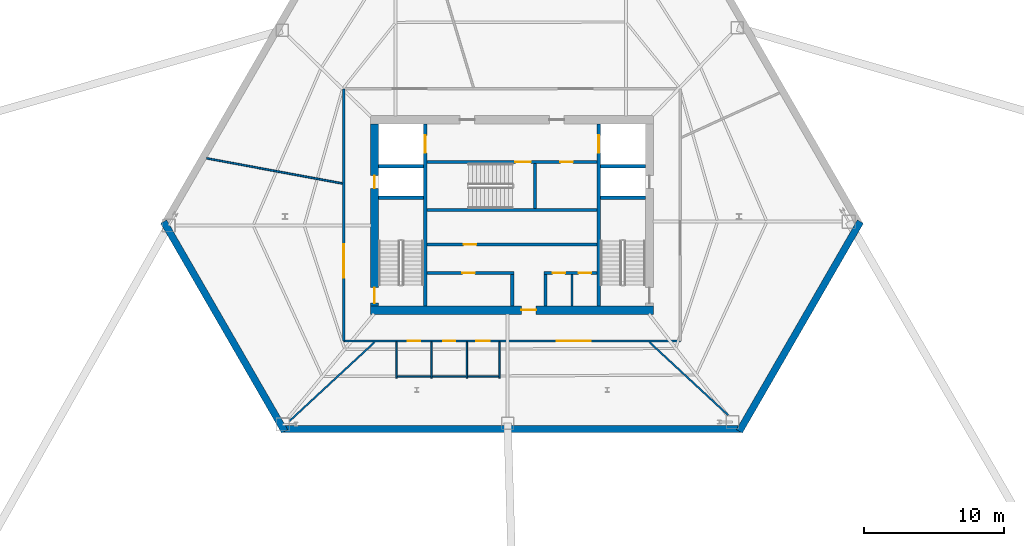
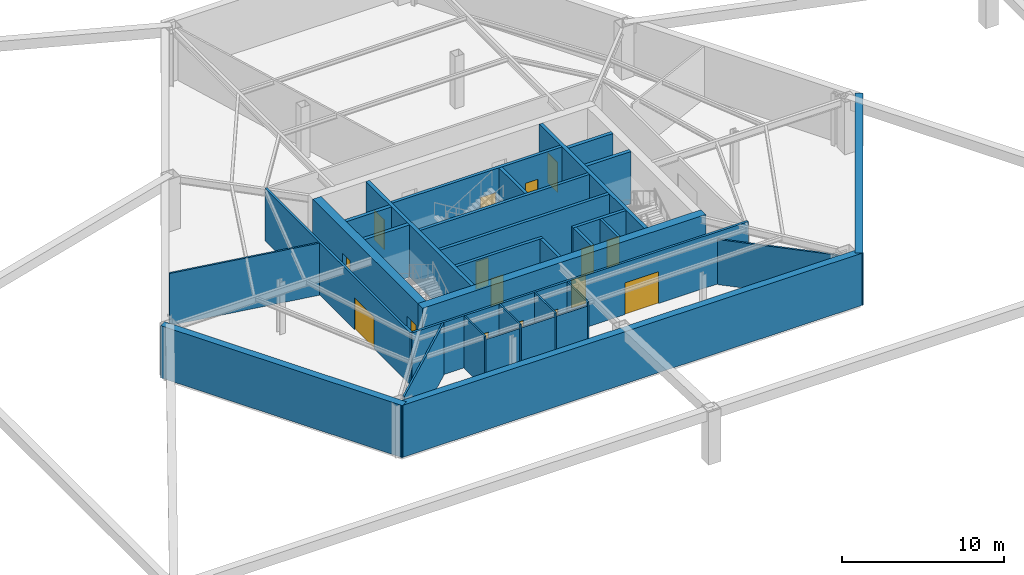
# One storey, part 6 of 8: 30 walls, 16 doors, 16 openings.
"""IFC4 building model written with IfcOpenShell, lengths in metres."""

from ifc_helpers import new_model, si_unit, direction, frame, frame_2d, origin, place, context, subcontext, project, spatial, rectangle, extrude, material, layer, layer_set, type_object, element, fill, save


model = new_model("IFC4")

# Units and contexts
model_context = context("Model", 3, precision=1e-05, world=origin(), true_north=direction((0.0, 1.0)))
body_context = subcontext(model_context, "Body", "Model", "MODEL_VIEW")
ifc_project = project(units=[si_unit("LENGTHUNIT", "METRE"), si_unit("AREAUNIT", "SQUARE_METRE"), si_unit("VOLUMEUNIT", "CUBIC_METRE"), si_unit("PLANEANGLEUNIT", "RADIAN"), si_unit("MASSUNIT", "GRAM", prefix="KILO")], contexts=[model_context])

# Site, building, storey
site_placement = place(None, origin())
site = spatial("IfcSite", under=ifc_project, at=site_placement, CompositionType="ELEMENT")
building_placement = place(site_placement, origin())
building = spatial("IfcBuilding", under=site, at=building_placement, Name="Kavelnor Concourse Tower", CompositionType="ELEMENT")
storey_placement = place(building_placement, frame((0.0, 0.0, -4.199951171875)))
storey = spatial("IfcBuildingStorey", under=building, at=storey_placement, Name="B01", CompositionType="ELEMENT", Elevation=-4.199951171875)

# Walls
ifc_material_1 = material(Name="Concrete C50/60", Category="concrete")
ifc_layer_1 = layer(ifc_material_1, 0.5, Name="Concrete C50/60")
ifc_layer_set_1 = layer_set([ifc_layer_1], Name="Concrete C50/60")
wall_type_1 = type_object("IfcWallType", Name="WL-BSMT-RET-500", PredefinedType="SHEAR", material=ifc_layer_set_1)
wall_1_placement = place(storey_placement, frame((13.122314453125, 15.618408203125, 0.0), z_axis=(0.0, 0.0, 1.0), x_axis=(0.499998305863, -0.866026381893, 0.0)))
element("IfcWall", 1, at=wall_1_placement, inside=storey, type_object=wall_type_1, Name="B01 Perimeter Retaining Wall 3 (500 mm)", PredefinedType="SHEAR", context=body_context, shape_type="SweptSolid", body=[
    extrude(rectangle(XDim=17.28857421875, YDim=0.5, at=frame_2d((8.644287109375, 0.0))), origin(), (0.0, 0.0, 1.0), 3.93994140625),
])
wall_2_placement = place(storey_placement, frame((21.5, 0.800048828125, 0.0), z_axis=(0.0, 0.0, 1.0), x_axis=(1.0, 0.0, 0.0)))
element("IfcWall", 2, at=wall_2_placement, inside=storey, type_object=wall_type_1, Name="B01 Perimeter Retaining Wall 4 (500 mm)", PredefinedType="SHEAR", context=body_context, shape_type="SweptSolid", body=[
    extrude(rectangle(XDim=33.0, YDim=0.5, at=frame_2d((16.5, 0.0))), origin(), (0.0, 0.0, 1.0), 3.93994140625),
])
wall_3_placement = place(storey_placement, frame((54.2333984375, 0.64599609375, 0.0), z_axis=(0.0, 0.0, 1.0), x_axis=(0.499998305863, 0.866026381893, 0.0)))
element("IfcWall", 3, at=wall_3_placement, inside=storey, type_object=wall_type_1, Name="B01 Perimeter Retaining Wall 5 (500 mm)", PredefinedType="SHEAR", context=body_context, shape_type="SweptSolid", body=[
    extrude(rectangle(XDim=17.28857421875, YDim=0.5, at=frame_2d((8.644287109375, 0.0))), origin(), (0.0, 0.0, 1.0), 3.93994140625),
])

# Wall, opening, door
ifc_material_2 = material(Name="Concrete C60/75", Category="concrete")
ifc_layer_2 = layer(ifc_material_2, 0.60009765625, Name="Concrete C60/75")
ifc_layer_set_2 = layer_set([ifc_layer_2], Name="Concrete C60/75")
wall_type_2 = type_object("IfcWallType", Name="WL-CORE-Z1-600", PredefinedType="SOLIDWALL", material=ifc_layer_set_2)
wall_4_placement = place(storey_placement, frame((27.8798828125, 9.300048828125, 0.0), z_axis=(0.0, 0.0, 1.0), x_axis=(1.0, 0.0, 0.0)))
wall_4 = element("IfcWall", 4, at=wall_4_placement, inside=storey, type_object=wall_type_2, Name="B01 Central Core South Shear Wall", PredefinedType="SOLIDWALL", context=body_context, shape_type="SweptSolid", body=[
    extrude(rectangle(XDim=20.240234375, YDim=0.60009765625, at=frame_2d((10.1201171875, 0.0))), origin(), (0.0, 0.0, 1.0), 3.93994140625),
])
opening_1_placement = place(wall_4_placement, frame((10.794921875, 0.0, 0.0)))
opening_1 = element("IfcOpeningElement", 5, at=opening_1_placement, cuts=wall_4, Name="Opening FD-105", PredefinedType="OPENING", context=body_context, shape_type="SweptSolid", body=[
    extrude(rectangle(XDim=1.050048828125, YDim=2.14990234375, at=frame_2d((0.52490234375, 1.074951171875))), frame((0.0, 0.31005859375, 0.0), z_axis=(0.0, -1.0, 0.0), x_axis=(1.0, 0.0, 0.0)), (0.0, 0.0, 1.0), 0.6201171875),
])
ifc_material_3 = material(Name="Steel Grade 350", Category="steel")
door_type_1 = type_object("IfcDoorType", Name="DR-LOBBY-FIRE-1050", OperationType="NOTDEFINED", PredefinedType="DOOR", material=ifc_material_3)
door_1_placement = place(opening_1_placement, origin())
door_1 = element("IfcDoor", 6, at=door_1_placement, inside=storey, type_object=door_type_1, Name="B01 Passenger Lift Lobby Entry Door", OperationType="DOUBLE_DOOR_SINGLE_SWING", OverallHeight=2.14990234375, OverallWidth=1.050048828125, PredefinedType="DOOR", context=body_context, shape_type="SweptSolid", body=[
    extrude(rectangle(XDim=1.050048828125, YDim=2.14990234375, at=frame_2d((0.52490234375, 1.074951171875))), frame((0.0, 0.02490234375, 0.0), z_axis=(0.0, -1.0, 0.0), x_axis=(1.0, 0.0, 0.0)), (0.0, 0.0, 1.0), 0.050048828125),
])
fill(opening_1, door_1)

# Wall, openings, doors
wall_5_placement = place(storey_placement, frame((28.179931640625, 9.60009765625, 0.0), z_axis=(0.0, 0.0, 1.0), x_axis=(0.0, 1.0, 0.0)))
wall_5 = element("IfcWall", 7, at=wall_5_placement, inside=storey, type_object=wall_type_2, Name="B01 Central Core West Shear Wall", PredefinedType="SOLIDWALL", context=body_context, shape_type="SweptSolid", body=[
    extrude(rectangle(XDim=13.0, YDim=0.60009765625, at=frame_2d((6.5, 0.0))), origin(), (0.0, 0.0, 1.0), 3.93994140625),
])
opening_2_placement = place(wall_5_placement, frame((0.199951171875, 0.0, 0.0)))
opening_2 = element("IfcOpeningElement", 8, at=opening_2_placement, cuts=wall_5, Name="Opening FD-110", PredefinedType="OPENING", context=body_context, shape_type="SweptSolid", body=[
    extrude(rectangle(XDim=1.10009765625, YDim=2.14990234375, at=frame_2d((0.550048828125, 1.074951171875))), frame((0.0, 0.31005859375, 0.0), z_axis=(0.0, -1.0, 0.0), x_axis=(1.0, 0.0, 0.0)), (0.0, 0.0, 1.0), 0.6201171875),
])
opening_3_placement = place(wall_5_placement, frame((8.39990234375, 0.0, 0.0)))
opening_3 = element("IfcOpeningElement", 9, at=opening_3_placement, cuts=wall_5, Name="Opening FD-090", PredefinedType="OPENING", context=body_context, shape_type="SweptSolid", body=[
    extrude(rectangle(XDim=0.89990234375, YDim=2.10009765625, at=frame_2d((0.449951171875, 1.050048828125))), frame((0.0, 0.31005859375, 0.0), z_axis=(0.0, -1.0, 0.0), x_axis=(1.0, 0.0, 0.0)), (0.0, 0.0, 1.0), 0.6201171875),
])
door_type_2 = type_object("IfcDoorType", Name="DR-RISER-FIRE-900", OperationType="NOTDEFINED", PredefinedType="DOOR", material=ifc_material_3)
door_2_placement = place(opening_3_placement, origin())
door_2 = element("IfcDoor", 10, at=door_2_placement, inside=storey, type_object=door_type_2, Name="B01 West Riser Access Door", OperationType="SINGLE_SWING_RIGHT", OverallHeight=2.10009765625, OverallWidth=0.89990234375, PredefinedType="DOOR", context=body_context, shape_type="SweptSolid", body=[
    extrude(rectangle(XDim=0.89990234375, YDim=2.10009765625, at=frame_2d((0.449951171875, 1.050048828125))), frame((0.0, 0.02490234375, 0.0), z_axis=(0.0, -1.0, 0.0), x_axis=(1.0, 0.0, 0.0)), (0.0, 0.0, 1.0), 0.050048828125),
])
fill(opening_3, door_2)
door_type_3 = type_object("IfcDoorType", Name="DR-STAIR-FIRE-1100", OperationType="NOTDEFINED", PredefinedType="DOOR", material=ifc_material_3)
door_3_placement = place(opening_2_placement, origin())
door_3 = element("IfcDoor", 11, at=door_3_placement, inside=storey, type_object=door_type_3, Name="B01 Stair ST1 Fire Door", OperationType="SINGLE_SWING_LEFT", OverallHeight=2.14990234375, OverallWidth=1.10009765625, PredefinedType="DOOR", context=body_context, shape_type="SweptSolid", body=[
    extrude(rectangle(XDim=1.10009765625, YDim=2.14990234375, at=frame_2d((0.550048828125, 1.074951171875))), frame((0.0, 0.02490234375, 0.0), z_axis=(0.0, -1.0, 0.0), x_axis=(1.0, 0.0, 0.0)), (0.0, 0.0, 1.0), 0.050048828125),
])
fill(opening_2, door_3)

# Wall
ifc_material_4 = material(Name="Gypsum plasterboard on light-gauge steel studs", Category="steel")
ifc_layer_3 = layer(ifc_material_4, 0.1650390625, Name="Gypsum plasterboard on light-gauge steel studs")
ifc_layer_set_3 = layer_set([ifc_layer_3], Name="Gypsum plasterboard on light-gauge steel studs")
wall_type_3 = type_object("IfcWallType", Name="WL-INT-FIRE-165", PredefinedType="PARTITIONING", material=ifc_layer_set_3)
wall_6_placement = place(storey_placement, frame((42.280029296875, 9.60009765625, 0.0), z_axis=(0.0, 0.0, 1.0), x_axis=(0.0, 1.0, 0.0)))
element("IfcWall", 12, at=wall_6_placement, inside=storey, type_object=wall_type_3, Name="B01 Core Support Divider", PredefinedType="PARTITIONING", context=body_context, shape_type="SweptSolid", body=[
    extrude(rectangle(XDim=2.239990234375, YDim=0.1650390625, at=frame_2d((1.1201171875, 0.0))), origin(), (0.0, 0.0, 1.0), 3.93994140625),
])

# Wall, openings, doors
wall_7_placement = place(storey_placement, frame((25.97998046875, 7.10009765625, 0.0), z_axis=(0.0, 0.0, 1.0), x_axis=(1.0, 0.0, 0.0)))
wall_7 = element("IfcWall", 13, at=wall_7_placement, inside=storey, type_object=wall_type_3, Name="B01 Corridor Wall WL-B01-CR-S", PredefinedType="PARTITIONING", context=body_context, shape_type="SweptSolid", body=[
    extrude(rectangle(XDim=24.0400390625, YDim=0.1650390625, at=frame_2d((12.02001953125, 0.0))), origin(), (0.0, 0.0, 1.0), 3.93994140625),
])
opening_4_placement = place(wall_7_placement, frame((4.580078125, 0.0, 0.0)))
opening_4 = element("IfcOpeningElement", 14, at=opening_4_placement, cuts=wall_7, Name="Opening WD-088", PredefinedType="OPENING", context=body_context, shape_type="SweptSolid", body=[
    extrude(rectangle(XDim=0.8798828125, YDim=2.10009765625, at=frame_2d((0.43994140625, 1.050048828125))), frame((0.0, 0.092529296875, 0.0), z_axis=(0.0, -1.0, 0.0), x_axis=(1.0, 0.0, 0.0)), (0.0, 0.0, 1.0), 0.18505859375),
])
opening_5_placement = place(wall_7_placement, frame((7.10009765625, 0.0, 0.0)))
opening_5 = element("IfcOpeningElement", 15, at=opening_5_placement, cuts=wall_7, Name="Opening WD-088", PredefinedType="OPENING", context=body_context, shape_type="SweptSolid", body=[
    extrude(rectangle(XDim=0.8798828125, YDim=2.10009765625, at=frame_2d((0.43994140625, 1.050048828125))), frame((0.0, 0.092529296875, 0.0), z_axis=(0.0, -1.0, 0.0), x_axis=(1.0, 0.0, 0.0)), (0.0, 0.0, 1.0), 0.18505859375),
])
opening_6_placement = place(wall_7_placement, frame((9.47998046875, 0.0, 0.0)))
opening_6 = element("IfcOpeningElement", 16, at=opening_6_placement, cuts=wall_7, Name="Opening WD-096", PredefinedType="OPENING", context=body_context, shape_type="SweptSolid", body=[
    extrude(rectangle(XDim=0.9599609375, YDim=2.10009765625, at=frame_2d((0.47998046875, 1.050048828125))), frame((0.0, 0.092529296875, 0.0), z_axis=(0.0, -1.0, 0.0), x_axis=(1.0, 0.0, 0.0)), (0.0, 0.0, 1.0), 0.18505859375),
])
opening_7_placement = place(wall_7_placement, frame((15.228759765625, 0.0, 0.0)))
opening_7 = element("IfcOpeningElement", 17, at=opening_7_placement, cuts=wall_7, Name="Opening SG-240", PredefinedType="OPENING", context=body_context, shape_type="SweptSolid", body=[
    extrude(rectangle(XDim=2.39990234375, YDim=2.39990234375, at=frame_2d((1.199951171875, 1.199951171875))), frame((0.0, 0.092529296875, 0.0), z_axis=(0.0, -1.0, 0.0), x_axis=(1.0, 0.0, 0.0)), (0.0, 0.0, 1.0), 0.18505859375),
])
door_type_4 = type_object("IfcDoorType", Name="DR-SERVICE-GATE-2400", OperationType="NOTDEFINED", PredefinedType="GATE", material=ifc_material_3)
door_4_placement = place(opening_7_placement, origin())
door_4 = element("IfcDoor", 18, at=door_4_placement, inside=storey, type_object=door_type_4, Name="B01 Central Building Store Room 04 Door", OperationType="DOUBLE_DOOR_SINGLE_SWING", OverallHeight=2.39990234375, OverallWidth=2.39990234375, PredefinedType="GATE", context=body_context, shape_type="SweptSolid", body=[
    extrude(rectangle(XDim=2.39990234375, YDim=2.39990234375, at=frame_2d((1.199951171875, 1.199951171875))), frame((0.0, 0.02490234375, 0.0), z_axis=(0.0, -1.0, 0.0), x_axis=(1.0, 0.0, 0.0)), (0.0, 0.0, 1.0), 0.050048828125),
])
fill(opening_7, door_4)
ifc_material_5 = material(Name="Solid-core hardwood timber", Category="wood")
door_type_5 = type_object("IfcDoorType", Name="DR-WC-ACC-960", OperationType="NOTDEFINED", PredefinedType="DOOR", material=ifc_material_5)
door_5_placement = place(opening_6_placement, origin())
door_5 = element("IfcDoor", 19, at=door_5_placement, inside=storey, type_object=door_type_5, Name="B01 Accessible WC Door", OperationType="SINGLE_SWING_LEFT", OverallHeight=2.10009765625, OverallWidth=0.9599609375, PredefinedType="DOOR", context=body_context, shape_type="SweptSolid", body=[
    extrude(rectangle(XDim=0.9599609375, YDim=2.10009765625, at=frame_2d((0.47998046875, 1.050048828125))), frame((0.0, 0.02490234375, 0.0), z_axis=(0.0, -1.0, 0.0), x_axis=(1.0, 0.0, 0.0)), (0.0, 0.0, 1.0), 0.050048828125),
])
fill(opening_6, door_5)
door_type_6 = type_object("IfcDoorType", Name="DR-WC-STD-880", OperationType="NOTDEFINED", PredefinedType="DOOR", material=ifc_material_5)
door_6_placement = place(opening_4_placement, origin())
door_6 = element("IfcDoor", 20, at=door_6_placement, inside=storey, type_object=door_type_6, Name="B01 Male WC Door", OperationType="SINGLE_SWING_LEFT", OverallHeight=2.10009765625, OverallWidth=0.8798828125, PredefinedType="DOOR", context=body_context, shape_type="SweptSolid", body=[
    extrude(rectangle(XDim=0.8798828125, YDim=2.10009765625, at=frame_2d((0.43994140625, 1.050048828125))), frame((0.0, 0.02490234375, 0.0), z_axis=(0.0, -1.0, 0.0), x_axis=(1.0, 0.0, 0.0)), (0.0, 0.0, 1.0), 0.050048828125),
])
fill(opening_4, door_6)
door_7_placement = place(opening_5_placement, origin())
door_7 = element("IfcDoor", 21, at=door_7_placement, inside=storey, type_object=door_type_6, Name="B01 Female WC Door", OperationType="SINGLE_SWING_RIGHT", OverallHeight=2.10009765625, OverallWidth=0.8798828125, PredefinedType="DOOR", context=body_context, shape_type="SweptSolid", body=[
    extrude(rectangle(XDim=0.8798828125, YDim=2.10009765625, at=frame_2d((0.43994140625, 1.050048828125))), frame((0.0, 0.02490234375, 0.0), z_axis=(0.0, -1.0, 0.0), x_axis=(1.0, 0.0, 0.0)), (0.0, 0.0, 1.0), 0.050048828125),
])
fill(opening_5, door_7)

# Wall, opening, door
wall_8_placement = place(storey_placement, frame((25.97998046875, 7.10009765625, 0.0), z_axis=(0.0, 0.0, 1.0), x_axis=(0.0, 1.0, 0.0)))
wall_8 = element("IfcWall", 22, at=wall_8_placement, inside=storey, type_object=wall_type_3, Name="B01 Corridor Wall WL-B01-CR-W", PredefinedType="PARTITIONING", context=body_context, shape_type="SweptSolid", body=[
    extrude(rectangle(XDim=18.0, YDim=0.1650390625, at=frame_2d((9.0, 0.0))), origin(), (0.0, 0.0, 1.0), 3.93994140625),
])
opening_8_placement = place(wall_8_placement, frame((4.5048828125, 0.0, 0.0)))
opening_8 = element("IfcOpeningElement", 23, at=opening_8_placement, cuts=wall_8, Name="Opening SG-240", PredefinedType="OPENING", context=body_context, shape_type="SweptSolid", body=[
    extrude(rectangle(XDim=2.39990234375, YDim=2.39990234375, at=frame_2d((1.199951171875, 1.199951171875))), frame((0.0, 0.092529296875, 0.0), z_axis=(0.0, -1.0, 0.0), x_axis=(1.0, 0.0, 0.0)), (0.0, 0.0, 1.0), 0.18505859375),
])
door_8_placement = place(opening_8_placement, origin())
door_8 = element("IfcDoor", 24, at=door_8_placement, inside=storey, type_object=door_type_4, Name="B01 End-of-Trip Drying and Kit Room 03 Door", OperationType="DOUBLE_DOOR_SINGLE_SWING", OverallHeight=2.39990234375, OverallWidth=2.39990234375, PredefinedType="GATE", context=body_context, shape_type="SweptSolid", body=[
    extrude(rectangle(XDim=2.39990234375, YDim=2.39990234375, at=frame_2d((1.199951171875, 1.199951171875))), frame((0.0, 0.02490234375, 0.0), z_axis=(0.0, -1.0, 0.0), x_axis=(1.0, 0.0, 0.0)), (0.0, 0.0, 1.0), 0.050048828125),
])
fill(opening_8, door_8)

# Walls
ifc_layer_4 = layer(ifc_material_4, 0.125, Name="Gypsum plasterboard on light-gauge steel studs")
ifc_layer_set_4 = layer_set([ifc_layer_4], Name="Gypsum plasterboard on light-gauge steel studs")
wall_type_4 = type_object("IfcWallType", Name="WL-INT-SUITE-125", PredefinedType="PARTITIONING", material=ifc_layer_set_4)
wall_9_placement = place(storey_placement, frame((25.889404296875, 18.343017578125, 0.0), z_axis=(0.0, 0.0, 1.0), x_axis=(-0.983273782179, 0.182133657733, 0.0)))
element("IfcWall", 25, at=wall_9_placement, inside=storey, type_object=wall_type_4, Name="B01 Radial Suite Partition 03", PredefinedType="PARTITIONING", context=body_context, shape_type="SweptSolid", body=[
    extrude(rectangle(XDim=9.845703125, YDim=0.125, at=frame_2d((4.9228515625, 0.0))), origin(), (0.0, 0.0, 1.0), 3.93994140625),
])
wall_10_placement = place(storey_placement, frame((28.188720703125, 7.009521484375, 0.0), z_axis=(0.0, 0.0, 1.0), x_axis=(-0.733538790589, -0.679647587137, 0.0)))
element("IfcWall", 26, at=wall_10_placement, inside=storey, type_object=wall_type_4, Name="B01 Radial Suite Partition 04", PredefinedType="PARTITIONING", context=body_context, shape_type="SweptSolid", body=[
    extrude(rectangle(XDim=8.290283203125, YDim=0.125, at=frame_2d((4.14501953125, 0.0))), origin(), (0.0, 0.0, 1.0), 3.93994140625),
])
wall_11_placement = place(storey_placement, frame((47.811279296875, 7.009521484375, 0.0), z_axis=(0.0, 0.0, 1.0), x_axis=(0.733527128647, -0.679660173571, 0.0)))
element("IfcWall", 27, at=wall_11_placement, inside=storey, type_object=wall_type_4, Name="B01 Radial Suite Partition 05", PredefinedType="PARTITIONING", context=body_context, shape_type="SweptSolid", body=[
    extrude(rectangle(XDim=7.6640625, YDim=0.125, at=frame_2d((3.83203125, 0.0))), origin(), (0.0, 0.0, 1.0), 3.406982421875),
])
ifc_layer_5 = layer(ifc_material_4, 0.110107421875, Name="Gypsum plasterboard on light-gauge steel studs")
ifc_layer_set_5 = layer_set([ifc_layer_5], Name="Gypsum plasterboard on light-gauge steel studs")
wall_type_5 = type_object("IfcWallType", Name="WL-INT-WC-110", PredefinedType="PLUMBINGWALL", material=ifc_layer_set_5)
for number, where, z_axis, x_axis, name in (
    (28, (29.739990234375, 4.449951171875, 0.0), (0.0, 0.0, 1.0), (0.0, 1.0, 0.0), "B01 Sanitary Partition WL-B01-WC-W"),
    (29, (32.260009765625, 4.449951171875, 0.0), (0.0, 0.0, 1.0), (0.0, 1.0, 0.0), "B01 Sanitary Partition WL-B01-WC-D1"),
    (30, (34.780029296875, 4.449951171875, 0.0), (0.0, 0.0, 1.0), (0.0, 1.0, 0.0), "B01 Sanitary Partition WL-B01-WC-D2"),
    (31, (37.10009765625, 4.449951171875, 0.0), (0.0, 0.0, 1.0), (0.0, 1.0, 0.0), "B01 Sanitary Partition WL-B01-WC-E"),
):
    element("IfcWall", number, at=place(storey_placement, frame(where, z_axis=z_axis, x_axis=x_axis)), inside=storey, type_object=wall_type_5, Name=name, PredefinedType="PLUMBINGWALL", context=body_context, shape_type="SweptSolid", body=[
        extrude(rectangle(XDim=2.580078125, YDim=0.110107421875, at=frame_2d((1.2900390625, 0.0))), origin(), (0.0, 0.0, 1.0), 3.93994140625),
    ])
wall_12_placement = place(storey_placement, frame((29.68994140625, 4.550048828125, 0.0), z_axis=(0.0, 0.0, 1.0), x_axis=(1.0, 0.0, 0.0)))
element("IfcWall", 32, at=wall_12_placement, inside=storey, type_object=wall_type_5, Name="B01 Sanitary Partition WL-B01-WC-S", PredefinedType="PLUMBINGWALL", context=body_context, shape_type="SweptSolid", body=[
    extrude(rectangle(XDim=7.4599609375, YDim=0.110107421875, at=frame_2d((3.72998046875, 0.0))), origin(), (0.0, 0.0, 1.0), 3.6279296875),
])

# Wall, openings, doors
ifc_layer_6 = layer(ifc_material_1, 0.219970703125, Name="Concrete C50/60")
ifc_layer_set_6 = layer_set([ifc_layer_6], Name="Concrete C50/60")
wall_type_6 = type_object("IfcWallType", Name="WL-SHAFT-220", PredefinedType="SOLIDWALL", material=ifc_layer_set_6)
wall_13_placement = place(storey_placement, frame((31.93994140625, 19.8701171875, 0.0), z_axis=(0.0, 0.0, 1.0), x_axis=(1.0, 0.0, 0.0)))
wall_13 = element("IfcWall", 33, at=wall_13_placement, inside=storey, type_object=wall_type_6, Name="B01 Emergency Lift Lobby South Wall", PredefinedType="SOLIDWALL", context=body_context, shape_type="SweptSolid", body=[
    extrude(rectangle(XDim=12.1201171875, YDim=0.219970703125, at=frame_2d((6.06005859375, 0.0))), origin(), (0.0, 0.0, 1.0), 3.93994140625),
])
opening_9_placement = place(wall_13_placement, frame((6.300048828125, 0.0, 0.0)))
opening_9 = element("IfcOpeningElement", 34, at=opening_9_placement, cuts=wall_13, Name="Opening FD-110", PredefinedType="OPENING", context=body_context, shape_type="SweptSolid", body=[
    extrude(rectangle(XDim=1.10009765625, YDim=2.14990234375, at=frame_2d((0.550048828125, 1.074951171875))), frame((0.0, 0.1201171875, 0.0), z_axis=(0.0, -1.0, 0.0), x_axis=(1.0, 0.0, 0.0)), (0.0, 0.0, 1.0), 0.239990234375),
])
opening_10_placement = place(wall_13_placement, frame((9.510009765625, 0.0, 0.0)))
opening_10 = element("IfcOpeningElement", 35, at=opening_10_placement, cuts=wall_13, Name="Opening FD-090", PredefinedType="OPENING", context=body_context, shape_type="SweptSolid", body=[
    extrude(rectangle(XDim=0.89990234375, YDim=2.10009765625, at=frame_2d((0.449951171875, 1.050048828125))), frame((0.0, 0.1201171875, 0.0), z_axis=(0.0, -1.0, 0.0), x_axis=(1.0, 0.0, 0.0)), (0.0, 0.0, 1.0), 0.239990234375),
])
door_9_placement = place(opening_10_placement, origin())
door_9 = element("IfcDoor", 36, at=door_9_placement, inside=storey, type_object=door_type_2, Name="B01 Electrical Comms Door", OperationType="SINGLE_SWING_LEFT", OverallHeight=2.10009765625, OverallWidth=0.89990234375, PredefinedType="DOOR", context=body_context, shape_type="SweptSolid", body=[
    extrude(rectangle(XDim=0.89990234375, YDim=2.10009765625, at=frame_2d((0.449951171875, 1.050048828125))), frame((0.0, 0.02490234375, 0.0), z_axis=(0.0, -1.0, 0.0), x_axis=(1.0, 0.0, 0.0)), (0.0, 0.0, 1.0), 0.050048828125),
])
fill(opening_10, door_9)
door_10_placement = place(opening_9_placement, origin())
door_10 = element("IfcDoor", 37, at=door_10_placement, inside=storey, type_object=door_type_3, Name="B01 Stair ST3 Fire Door", OperationType="SINGLE_SWING_LEFT", OverallHeight=2.14990234375, OverallWidth=1.10009765625, PredefinedType="DOOR", context=body_context, shape_type="SweptSolid", body=[
    extrude(rectangle(XDim=1.10009765625, YDim=2.14990234375, at=frame_2d((0.550048828125, 1.074951171875))), frame((0.0, 0.02490234375, 0.0), z_axis=(0.0, -1.0, 0.0), x_axis=(1.0, 0.0, 0.0)), (0.0, 0.0, 1.0), 0.050048828125),
])
fill(opening_9, door_10)

# Walls
wall_14_placement = place(storey_placement, frame((31.93994140625, 16.449951171875, 0.0), z_axis=(0.0, 0.0, 1.0), x_axis=(1.0, 0.0, 0.0)))
element("IfcWall", 38, at=wall_14_placement, inside=storey, type_object=wall_type_6, Name="B01 Stair ST3 South Core Wall", PredefinedType="SOLIDWALL", context=body_context, shape_type="SweptSolid", body=[
    extrude(rectangle(XDim=12.1201171875, YDim=0.219970703125, at=frame_2d((6.06005859375, 0.0))), origin(), (0.0, 0.0, 1.0), 3.93994140625),
])
wall_15_placement = place(storey_placement, frame((39.64990234375, 16.56005859375, 0.0), z_axis=(0.0, 0.0, 1.0), x_axis=(0.0, 1.0, 0.0)))
element("IfcWall", 39, at=wall_15_placement, inside=storey, type_object=wall_type_6, Name="B01 Stair ST3 East Core Wall", PredefinedType="SOLIDWALL", context=body_context, shape_type="SweptSolid", body=[
    extrude(rectangle(XDim=3.199951171875, YDim=0.219970703125, at=frame_2d((1.60009765625, 0.0))), origin(), (0.0, 0.0, 1.0), 3.93994140625),
])

# Wall, opening, door
wall_16_placement = place(storey_placement, frame((31.93994140625, 13.989990234375, 0.0), z_axis=(0.0, 0.0, 1.0), x_axis=(1.0, 0.0, 0.0)))
wall_16 = element("IfcWall", 40, at=wall_16_placement, inside=storey, type_object=wall_type_6, Name="B01 North Lift Row Shaft Wall", PredefinedType="SOLIDWALL", context=body_context, shape_type="SweptSolid", body=[
    extrude(rectangle(XDim=12.1201171875, YDim=0.219970703125, at=frame_2d((6.06005859375, 0.0))), origin(), (0.0, 0.0, 1.0), 3.93994140625),
])
opening_11_placement = place(wall_16_placement, frame((2.610107421875, 0.0, 0.0)))
opening_11 = element("IfcOpeningElement", 41, at=opening_11_placement, cuts=wall_16, Name="Opening FD-090", PredefinedType="OPENING", context=body_context, shape_type="SweptSolid", body=[
    extrude(rectangle(XDim=0.89990234375, YDim=2.10009765625, at=frame_2d((0.449951171875, 1.050048828125))), frame((0.0, 0.1201171875, 0.0), z_axis=(0.0, -1.0, 0.0), x_axis=(1.0, 0.0, 0.0)), (0.0, 0.0, 1.0), 0.239990234375),
])
door_11_placement = place(opening_11_placement, origin())
door_11 = element("IfcDoor", 42, at=door_11_placement, inside=storey, type_object=door_type_2, Name="B01 North Lift Pit Door", OperationType="SINGLE_SWING_LEFT", OverallHeight=2.10009765625, OverallWidth=0.89990234375, PredefinedType="DOOR", context=body_context, shape_type="SweptSolid", body=[
    extrude(rectangle(XDim=0.89990234375, YDim=2.10009765625, at=frame_2d((0.449951171875, 1.050048828125))), frame((0.0, 0.02490234375, 0.0), z_axis=(0.0, -1.0, 0.0), x_axis=(1.0, 0.0, 0.0)), (0.0, 0.0, 1.0), 0.050048828125),
])
fill(opening_11, door_11)

wall_17_placement = place(storey_placement, frame((31.93994140625, 11.949951171875, 0.0), z_axis=(0.0, 0.0, 1.0), x_axis=(1.0, 0.0, 0.0)))
wall_17 = element("IfcWall", 43, at=wall_17_placement, inside=storey, type_object=wall_type_6, Name="B01 High-Rise Lift Bank North Wall", PredefinedType="SOLIDWALL", context=body_context, shape_type="SweptSolid", body=[
    extrude(rectangle(XDim=6.18994140625, YDim=0.219970703125, at=frame_2d((3.094970703125, 0.0))), origin(), (0.0, 0.0, 1.0), 3.93994140625),
])
opening_12_placement = place(wall_17_placement, frame((2.510009765625, 0.0, 0.0)))
opening_12 = element("IfcOpeningElement", 44, at=opening_12_placement, cuts=wall_17, Name="Opening FD-090", PredefinedType="OPENING", context=body_context, shape_type="SweptSolid", body=[
    extrude(rectangle(XDim=0.89990234375, YDim=2.10009765625, at=frame_2d((0.449951171875, 1.050048828125))), frame((0.0, 0.1201171875, 0.0), z_axis=(0.0, -1.0, 0.0), x_axis=(1.0, 0.0, 0.0)), (0.0, 0.0, 1.0), 0.239990234375),
])
door_12_placement = place(opening_12_placement, origin())
door_12 = element("IfcDoor", 45, at=door_12_placement, inside=storey, type_object=door_type_2, Name="B01 Lift Pit Access Door", OperationType="SINGLE_SWING_LEFT", OverallHeight=2.10009765625, OverallWidth=0.89990234375, PredefinedType="DOOR", context=body_context, shape_type="SweptSolid", body=[
    extrude(rectangle(XDim=0.89990234375, YDim=2.10009765625, at=frame_2d((0.449951171875, 1.050048828125))), frame((0.0, 0.02490234375, 0.0), z_axis=(0.0, -1.0, 0.0), x_axis=(1.0, 0.0, 0.0)), (0.0, 0.0, 1.0), 0.050048828125),
])
fill(opening_12, door_12)

# Wall, openings, doors
wall_18_placement = place(storey_placement, frame((40.280029296875, 11.949951171875, 0.0), z_axis=(0.0, 0.0, 1.0), x_axis=(1.0, 0.0, 0.0)))
wall_18 = element("IfcWall", 46, at=wall_18_placement, inside=storey, type_object=wall_type_6, Name="B01 Core South Support North Wall", PredefinedType="SOLIDWALL", context=body_context, shape_type="SweptSolid", body=[
    extrude(rectangle(XDim=3.780029296875, YDim=0.219970703125, at=frame_2d((1.89013671875, 0.0))), origin(), (0.0, 0.0, 1.0), 3.93994140625),
])
opening_13_placement = place(wall_18_placement, frame((0.6201171875, 0.0, 0.0)))
opening_13 = element("IfcOpeningElement", 47, at=opening_13_placement, cuts=wall_18, Name="Opening FD-090", PredefinedType="OPENING", context=body_context, shape_type="SweptSolid", body=[
    extrude(rectangle(XDim=0.89990234375, YDim=2.10009765625, at=frame_2d((0.449951171875, 1.050048828125))), frame((0.0, 0.1201171875, 0.0), z_axis=(0.0, -1.0, 0.0), x_axis=(1.0, 0.0, 0.0)), (0.0, 0.0, 1.0), 0.239990234375),
])
opening_14_placement = place(wall_18_placement, frame((2.469970703125, 0.0, 0.0)))
opening_14 = element("IfcOpeningElement", 48, at=opening_14_placement, cuts=wall_18, Name="Opening FD-090", PredefinedType="OPENING", context=body_context, shape_type="SweptSolid", body=[
    extrude(rectangle(XDim=0.89990234375, YDim=2.10009765625, at=frame_2d((0.449951171875, 1.050048828125))), frame((0.0, 0.1201171875, 0.0), z_axis=(0.0, -1.0, 0.0), x_axis=(1.0, 0.0, 0.0)), (0.0, 0.0, 1.0), 0.239990234375),
])
door_13_placement = place(opening_13_placement, origin())
door_13 = element("IfcDoor", 49, at=door_13_placement, inside=storey, type_object=door_type_2, Name="B01 Cleaner Cupboard Door", OperationType="SINGLE_SWING_RIGHT", OverallHeight=2.10009765625, OverallWidth=0.89990234375, PredefinedType="DOOR", context=body_context, shape_type="SweptSolid", body=[
    extrude(rectangle(XDim=0.89990234375, YDim=2.10009765625, at=frame_2d((0.449951171875, 1.050048828125))), frame((0.0, 0.02490234375, 0.0), z_axis=(0.0, -1.0, 0.0), x_axis=(1.0, 0.0, 0.0)), (0.0, 0.0, 1.0), 0.050048828125),
])
fill(opening_13, door_13)
door_14_placement = place(opening_14_placement, origin())
door_14 = element("IfcDoor", 50, at=door_14_placement, inside=storey, type_object=door_type_2, Name="B01 Supplies Store Door", OperationType="SINGLE_SWING_LEFT", OverallHeight=2.10009765625, OverallWidth=0.89990234375, PredefinedType="DOOR", context=body_context, shape_type="SweptSolid", body=[
    extrude(rectangle(XDim=0.89990234375, YDim=2.10009765625, at=frame_2d((0.449951171875, 1.050048828125))), frame((0.0, 0.02490234375, 0.0), z_axis=(0.0, -1.0, 0.0), x_axis=(1.0, 0.0, 0.0)), (0.0, 0.0, 1.0), 0.050048828125),
])
fill(opening_14, door_14)

# Walls
for number, where, z_axis, x_axis, name in (
    (51, (38.02001953125, 9.60009765625, 0.0), (0.0, 0.0, 1.0), (0.0, 1.0, 0.0), "B01 Lift Lobby Throat West Wall"),
    (52, (40.389892578125, 9.60009765625, 0.0), (0.0, 0.0, 1.0), (0.0, 1.0, 0.0), "B01 Lift Lobby Throat East Wall"),
):
    element("IfcWall", number, at=place(storey_placement, frame(where, z_axis=z_axis, x_axis=x_axis)), inside=storey, type_object=wall_type_6, Name=name, PredefinedType="SOLIDWALL", context=body_context, shape_type="SweptSolid", body=[
        extrude(rectangle(XDim=2.239990234375, YDim=0.219970703125, at=frame_2d((1.1201171875, 0.0))), origin(), (0.0, 0.0, 1.0), 3.93994140625),
    ])

# Wall, opening, door
ifc_layer_7 = layer(ifc_material_1, 0.260009765625, Name="Concrete C50/60")
ifc_layer_set_7 = layer_set([ifc_layer_7], Name="Concrete C50/60")
wall_type_7 = type_object("IfcWallType", Name="WL-SHAFT-260", PredefinedType="SHEAR", material=ifc_layer_set_7)
wall_19_placement = place(storey_placement, frame((31.81005859375, 9.60009765625, 0.0), z_axis=(0.0, 0.0, 1.0), x_axis=(0.0, 1.0, 0.0)))
wall_19 = element("IfcWall", 53, at=wall_19_placement, inside=storey, type_object=wall_type_7, Name="B01 Core West Wing Shear Wall", PredefinedType="SHEAR", context=body_context, shape_type="SweptSolid", body=[
    extrude(rectangle(XDim=13.0, YDim=0.260009765625, at=frame_2d((6.5, 0.0))), origin(), (0.0, 0.0, 1.0), 3.93994140625),
])
opening_15_placement = place(wall_19_placement, frame((10.925048828125, 0.0, 0.0)))
opening_15 = element("IfcOpeningElement", 54, at=opening_15_placement, cuts=wall_19, Name="Opening LD-125", PredefinedType="OPENING", context=body_context, shape_type="SweptSolid", body=[
    extrude(rectangle(XDim=1.25, YDim=2.25, at=frame_2d((0.625, 1.125))), frame((0.0, 0.14013671875, 0.0), z_axis=(0.0, -1.0, 0.0), x_axis=(1.0, 0.0, 0.0)), (0.0, 0.0, 1.0), 0.280029296875),
])
door_type_7 = type_object("IfcDoorType", Name="DR-LIFT-SLIDING-1250", OperationType="NOTDEFINED", PredefinedType="DOOR", material=ifc_material_3)
door_15_placement = place(opening_15_placement, origin())
door_15 = element("IfcDoor", 55, at=door_15_placement, inside=storey, type_object=door_type_7, Name="B01 Emergency Lift FL1 Landing Door", OperationType="DOUBLE_DOOR_SLIDING", OverallHeight=2.25, OverallWidth=1.25, PredefinedType="DOOR", context=body_context, shape_type="SweptSolid", body=[
    extrude(rectangle(XDim=1.25, YDim=2.25, at=frame_2d((0.625, 1.125))), frame((0.0, 0.02490234375, 0.0), z_axis=(0.0, -1.0, 0.0), x_axis=(1.0, 0.0, 0.0)), (0.0, 0.0, 1.0), 0.050048828125),
])
fill(opening_15, door_15)

wall_20_placement = place(storey_placement, frame((44.18994140625, 9.60009765625, 0.0), z_axis=(0.0, 0.0, 1.0), x_axis=(0.0, 1.0, 0.0)))
wall_20 = element("IfcWall", 56, at=wall_20_placement, inside=storey, type_object=wall_type_7, Name="B01 Core East Wing Shear Wall", PredefinedType="SHEAR", context=body_context, shape_type="SweptSolid", body=[
    extrude(rectangle(XDim=13.0, YDim=0.260009765625, at=frame_2d((6.5, 0.0))), origin(), (0.0, 0.0, 1.0), 3.93994140625),
])
opening_16_placement = place(wall_20_placement, frame((10.925048828125, 0.0, 0.0)))
opening_16 = element("IfcOpeningElement", 57, at=opening_16_placement, cuts=wall_20, Name="Opening LD-125", PredefinedType="OPENING", context=body_context, shape_type="SweptSolid", body=[
    extrude(rectangle(XDim=1.25, YDim=2.25, at=frame_2d((0.625, 1.125))), frame((0.0, 0.14013671875, 0.0), z_axis=(0.0, -1.0, 0.0), x_axis=(1.0, 0.0, 0.0)), (0.0, 0.0, 1.0), 0.280029296875),
])
door_16_placement = place(opening_16_placement, origin())
door_16 = element("IfcDoor", 58, at=door_16_placement, inside=storey, type_object=door_type_7, Name="B01 Emergency Lift FL2 Landing Door", OperationType="DOUBLE_DOOR_SLIDING", OverallHeight=2.25, OverallWidth=1.25, PredefinedType="DOOR", context=body_context, shape_type="SweptSolid", body=[
    extrude(rectangle(XDim=1.25, YDim=2.25, at=frame_2d((0.625, 1.125))), frame((0.0, 0.02490234375, 0.0), z_axis=(0.0, -1.0, 0.0), x_axis=(1.0, 0.0, 0.0)), (0.0, 0.0, 1.0), 0.050048828125),
])
fill(opening_16, door_16)

# Walls
for number, where, z_axis, x_axis, name in (
    (59, (28.47998046875, 17.330078125, 0.0), (0.0, 0.0, 1.0), (1.0, 0.0, 0.0), "B01 Stair ST1 North Shaft Wall"),
    (60, (28.47998046875, 19.570068359375, 0.0), (0.0, 0.0, 1.0), (1.0, 0.0, 0.0), "B01 Emergency Lift FL1 South Shaft Wall"),
    (61, (44.320068359375, 17.330078125, 0.0), (0.0, 0.0, 1.0), (1.0, 0.0, 0.0), "B01 Stair ST2 North Shaft Wall"),
    (62, (44.320068359375, 19.570068359375, 0.0), (0.0, 0.0, 1.0), (1.0, 0.0, 0.0), "B01 Emergency Lift FL2 South Shaft Wall"),
):
    element("IfcWall", number, at=place(storey_placement, frame(where, z_axis=z_axis, x_axis=x_axis)), inside=storey, type_object=wall_type_7, Name=name, PredefinedType="SHEAR", context=body_context, shape_type="SweptSolid", body=[
        extrude(rectangle(XDim=3.199951171875, YDim=0.260009765625, at=frame_2d((1.60009765625, 0.0))), origin(), (0.0, 0.0, 1.0), 3.93994140625),
    ])

save(model, "model.ifc")
